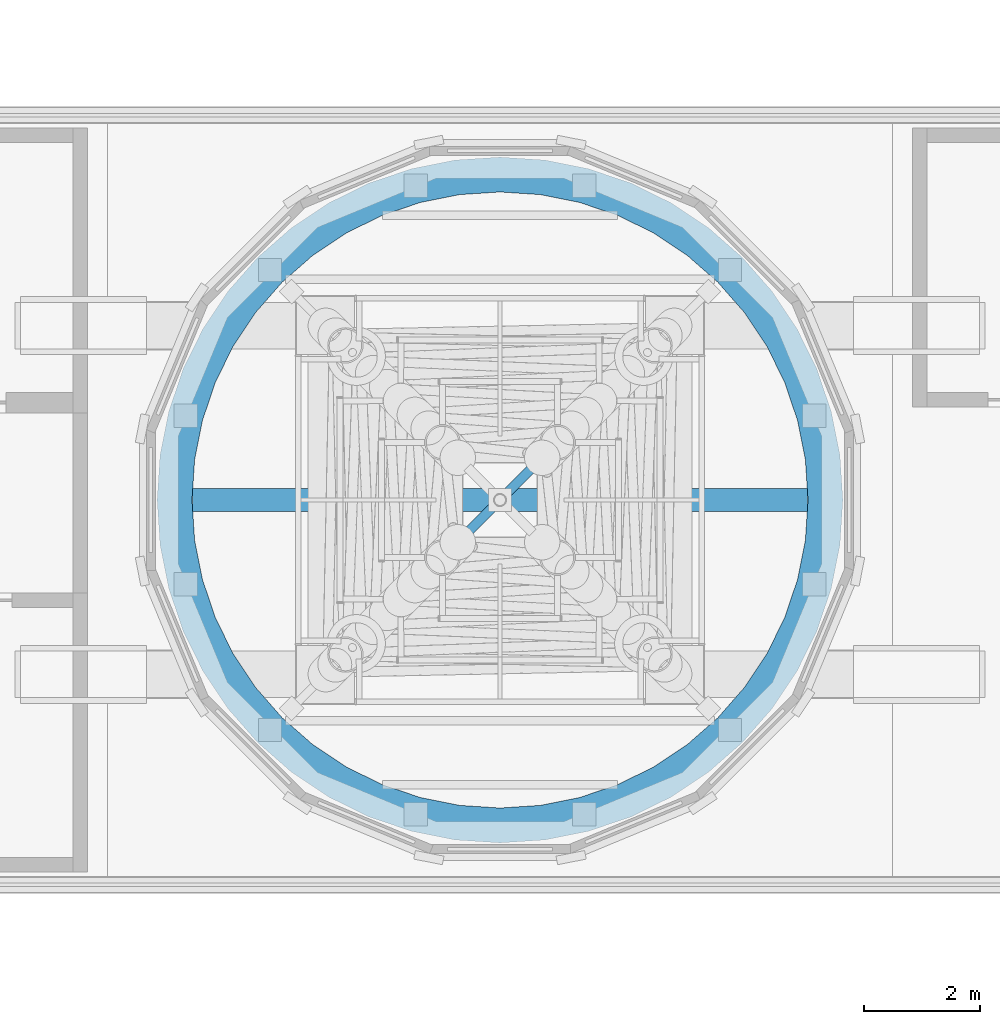
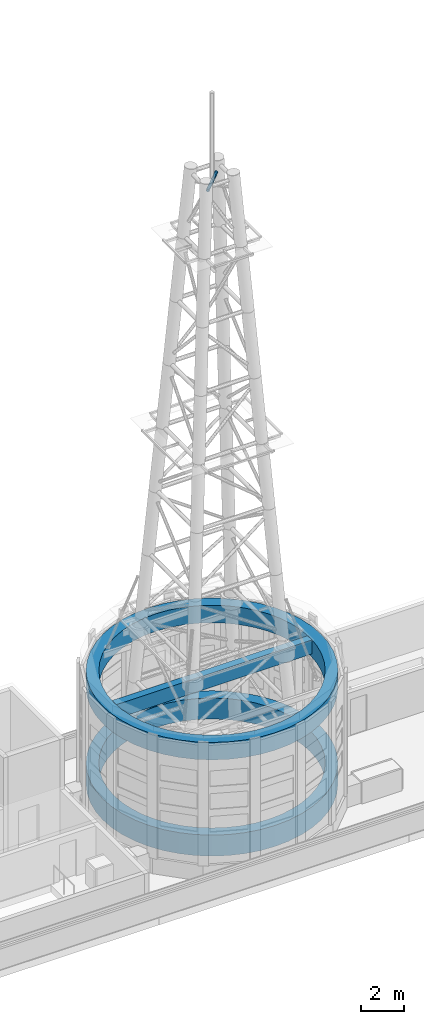
# One storey, part 2 of 36: 3 beams, 1 member.
"""IFC4 building model written with IfcOpenShell, lengths in metres."""

from ifc_helpers import new_model, si_unit, direction, frame, origin, origin_2d, place, context, subcontext, project, spatial, polyline, hollow_rectangle, hollow_circle, outline, extrude, material, material_profile, profile_set, type_object, element, save


model = new_model("IFC4")

# Units and contexts
model_context = context("Model", 3, precision=1e-05, world=origin(), true_north=direction((0.0, 1.0)))
body_context = subcontext(model_context, "Body", "Model", "MODEL_VIEW")
ifc_project = project(units=[si_unit("LENGTHUNIT", "METRE"), si_unit("AREAUNIT", "SQUARE_METRE"), si_unit("VOLUMEUNIT", "CUBIC_METRE"), si_unit("PLANEANGLEUNIT", "RADIAN"), si_unit("MASSUNIT", "GRAM", prefix="KILO")], contexts=[model_context])

# Site, building, storey
site_placement = place(None, origin())
site = spatial("IfcSite", under=ifc_project, at=site_placement, CompositionType="ELEMENT")
building_placement = place(site_placement, origin())
building = spatial("IfcBuilding", under=site, at=building_placement, Name="Ipe Terrace Towers", CompositionType="ELEMENT")
storey_placement = place(building_placement, frame((0.0, 0.0, 264.89990234375)))
storey = spatial("IfcBuildingStorey", under=building, at=storey_placement, Name="Roof", CompositionType="ELEMENT", Elevation=264.89990234375)

# Beams
ifc_material_1 = material(Name="Concrete C40/50", Category="concrete")
beam_type_1 = type_object("IfcBeamType", Name="CROWN-DRUM RING BEAM C40/50 600x1000", PredefinedType="BEAM", material=ifc_material_1)
beam_1_placement = place(storey_placement, frame((0.0, 0.0, 6.7001953125)))
element("IfcBeam", 1, at=beam_1_placement, inside=storey, type_object=beam_type_1, Name="T1-CR-RB2 drum top ring beam", PredefinedType="BEAM", context=body_context, shape_type="SweptSolid", body=[
    extrude(outline(polyline([(-30.10009765625, 0.0), (-30.14990234375, 0.77001953125), (-30.301025390625, 1.527099609375), (-30.549072265625, 2.258056640625), (-30.889892578125, 2.949951171875), (-31.319091796875, 3.592041015625), (-31.827880859375, 4.172119140625), (-32.407958984375, 4.680908203125), (-33.050048828125, 5.110107421875), (-33.741943359375, 5.450927734375), (-34.472900390625, 5.698974609375), (-35.22998046875, 5.85009765625), (-36.0, 5.89990234375), (-36.77001953125, 5.85009765625), (-37.527099609375, 5.698974609375), (-38.258056640625, 5.450927734375), (-38.949951171875, 5.110107421875), (-39.592041015625, 4.680908203125), (-40.172119140625, 4.172119140625), (-40.680908203125, 3.592041015625), (-41.110107421875, 2.949951171875), (-41.450927734375, 2.258056640625), (-41.698974609375, 1.527099609375), (-41.85009765625, 0.77001953125), (-41.89990234375, 0.0), (-41.85009765625, -0.77001953125), (-41.698974609375, -1.527099609375), (-41.450927734375, -2.258056640625), (-41.110107421875, -2.949951171875), (-40.680908203125, -3.592041015625), (-40.172119140625, -4.172119140625), (-39.592041015625, -4.680908203125), (-38.949951171875, -5.110107421875), (-38.258056640625, -5.450927734375), (-37.527099609375, -5.698974609375), (-36.77001953125, -5.85009765625), (-36.0, -5.89990234375), (-35.22998046875, -5.85009765625), (-34.472900390625, -5.698974609375), (-33.741943359375, -5.450927734375), (-33.050048828125, -5.110107421875), (-32.407958984375, -4.680908203125), (-31.827880859375, -4.172119140625), (-31.319091796875, -3.592041015625), (-30.889892578125, -2.949951171875), (-30.549072265625, -2.258056640625), (-30.301025390625, -1.527099609375), (-30.14990234375, -0.77001953125), (-30.10009765625, 0.0)]), holes=[polyline([(-30.699951171875, 0.0), (-30.7451171875, 0.69189453125), (-30.881103515625, 1.3720703125), (-31.10302734375, 2.028076171875), (-31.409912109375, 2.64990234375), (-31.794921875, 3.22607421875), (-32.251953125, 3.748046875), (-32.77392578125, 4.205078125), (-33.35009765625, 4.590087890625), (-33.971923828125, 4.89697265625), (-34.6279296875, 5.118896484375), (-35.30810546875, 5.2548828125), (-36.0, 5.300048828125), (-36.69189453125, 5.2548828125), (-37.3720703125, 5.118896484375), (-38.028076171875, 4.89697265625), (-38.64990234375, 4.590087890625), (-39.22607421875, 4.205078125), (-39.748046875, 3.748046875), (-40.205078125, 3.22607421875), (-40.590087890625, 2.64990234375), (-40.89697265625, 2.028076171875), (-41.118896484375, 1.3720703125), (-41.2548828125, 0.69189453125), (-41.300048828125, 0.0), (-41.2548828125, -0.69189453125), (-41.118896484375, -1.3720703125), (-40.89697265625, -2.028076171875), (-40.590087890625, -2.64990234375), (-40.205078125, -3.22607421875), (-39.748046875, -3.748046875), (-39.22607421875, -4.205078125), (-38.64990234375, -4.590087890625), (-38.028076171875, -4.89697265625), (-37.3720703125, -5.118896484375), (-36.69189453125, -5.2548828125), (-36.0, -5.300048828125), (-35.30810546875, -5.2548828125), (-34.6279296875, -5.118896484375), (-33.971923828125, -4.89697265625), (-33.35009765625, -4.590087890625), (-32.77392578125, -4.205078125), (-32.251953125, -3.748046875), (-31.794921875, -3.22607421875), (-31.409912109375, -2.64990234375), (-31.10302734375, -2.028076171875), (-30.881103515625, -1.3720703125), (-30.7451171875, -0.69189453125), (-30.699951171875, 0.0)])]), origin(), (0.0, 0.0, 1.0), 1.0),
])
ifc_material_2 = material(Name="Steel S355", Category="steel")
ifc_material_profile_1 = material_profile(ifc_material_2, hollow_rectangle(XDim=0.39990234375, YDim=0.800048828125, WallThickness=0.02001953125, at=origin_2d()), Name="CROWN-DRUM ROOF BEAM BOX 400x800x20")
ifc_profile_set_1 = profile_set([ifc_material_profile_1], Name="Steel S355")
beam_type_2 = type_object("IfcBeamType", Name="CROWN-DRUM ROOF BEAM BOX 400x800x20", PredefinedType="BEAM", material=ifc_profile_set_1)
beam_2_placement = place(storey_placement, frame((-41.2880859375, 0.0, 7.300048828125), z_axis=(1.0, 0.0, 0.0), x_axis=(0.0, 1.0, 0.0)))
element("IfcBeam", 2, at=beam_2_placement, inside=storey, type_object=beam_type_2, Name="T1-CR-RF1 drum roof beam", PredefinedType="BEAM", context=body_context, shape_type="SweptSolid", body=[
    extrude(hollow_rectangle(XDim=0.39990234375, YDim=0.800048828125, WallThickness=0.02001953125, at=origin_2d()), origin(), (0.0, 0.0, 1.0), 10.576171875),
])
ifc_material_3 = material(Name="Concrete C40/50", Category="concrete")
beam_type_3 = type_object("IfcBeamType", Name="CROWN-DRUM TRANSFER GIRDER C40/50 600x1200", PredefinedType="BEAM", material=ifc_material_3)
beam_3_placement = place(storey_placement, frame((0.0, 0.0, 1.2001953125)))
element("IfcBeam", 3, at=beam_3_placement, inside=storey, type_object=beam_type_3, Name="T1-TG-C1 drum base transfer girder", PredefinedType="BEAM", context=body_context, shape_type="SweptSolid", body=[
    extrude(outline(polyline([(-30.10009765625, 0.0), (-30.14990234375, 0.77001953125), (-30.301025390625, 1.527099609375), (-30.549072265625, 2.258056640625), (-30.889892578125, 2.949951171875), (-31.319091796875, 3.592041015625), (-31.827880859375, 4.172119140625), (-32.407958984375, 4.680908203125), (-33.050048828125, 5.110107421875), (-33.741943359375, 5.450927734375), (-34.472900390625, 5.698974609375), (-35.22998046875, 5.85009765625), (-36.0, 5.89990234375), (-36.77001953125, 5.85009765625), (-37.527099609375, 5.698974609375), (-38.258056640625, 5.450927734375), (-38.949951171875, 5.110107421875), (-39.592041015625, 4.680908203125), (-40.172119140625, 4.172119140625), (-40.680908203125, 3.592041015625), (-41.110107421875, 2.949951171875), (-41.450927734375, 2.258056640625), (-41.698974609375, 1.527099609375), (-41.85009765625, 0.77001953125), (-41.89990234375, 0.0), (-41.85009765625, -0.77001953125), (-41.698974609375, -1.527099609375), (-41.450927734375, -2.258056640625), (-41.110107421875, -2.949951171875), (-40.680908203125, -3.592041015625), (-40.172119140625, -4.172119140625), (-39.592041015625, -4.680908203125), (-38.949951171875, -5.110107421875), (-38.258056640625, -5.450927734375), (-37.527099609375, -5.698974609375), (-36.77001953125, -5.85009765625), (-36.0, -5.89990234375), (-35.22998046875, -5.85009765625), (-34.472900390625, -5.698974609375), (-33.741943359375, -5.450927734375), (-33.050048828125, -5.110107421875), (-32.407958984375, -4.680908203125), (-31.827880859375, -4.172119140625), (-31.319091796875, -3.592041015625), (-30.889892578125, -2.949951171875), (-30.549072265625, -2.258056640625), (-30.301025390625, -1.527099609375), (-30.14990234375, -0.77001953125), (-30.10009765625, 0.0)]), holes=[polyline([(-30.699951171875, 0.0), (-30.7451171875, 0.69189453125), (-30.881103515625, 1.3720703125), (-31.10302734375, 2.028076171875), (-31.409912109375, 2.64990234375), (-31.794921875, 3.22607421875), (-32.251953125, 3.748046875), (-32.77392578125, 4.205078125), (-33.35009765625, 4.590087890625), (-33.971923828125, 4.89697265625), (-34.6279296875, 5.118896484375), (-35.30810546875, 5.2548828125), (-36.0, 5.300048828125), (-36.69189453125, 5.2548828125), (-37.3720703125, 5.118896484375), (-38.028076171875, 4.89697265625), (-38.64990234375, 4.590087890625), (-39.22607421875, 4.205078125), (-39.748046875, 3.748046875), (-40.205078125, 3.22607421875), (-40.590087890625, 2.64990234375), (-40.89697265625, 2.028076171875), (-41.118896484375, 1.3720703125), (-41.2548828125, 0.69189453125), (-41.300048828125, 0.0), (-41.2548828125, -0.69189453125), (-41.118896484375, -1.3720703125), (-40.89697265625, -2.028076171875), (-40.590087890625, -2.64990234375), (-40.205078125, -3.22607421875), (-39.748046875, -3.748046875), (-39.22607421875, -4.205078125), (-38.64990234375, -4.590087890625), (-38.028076171875, -4.89697265625), (-37.3720703125, -5.118896484375), (-36.69189453125, -5.2548828125), (-36.0, -5.300048828125), (-35.30810546875, -5.2548828125), (-34.6279296875, -5.118896484375), (-33.971923828125, -4.89697265625), (-33.35009765625, -4.590087890625), (-32.77392578125, -4.205078125), (-32.251953125, -3.748046875), (-31.794921875, -3.22607421875), (-31.409912109375, -2.64990234375), (-31.10302734375, -2.028076171875), (-30.881103515625, -1.3720703125), (-30.7451171875, -0.69189453125), (-30.699951171875, 0.0)])]), origin(), (0.0, 0.0, 1.0), 1.199951171875),
])

# Member
ifc_material_4 = material(Name="Steel S355", Category="steel")
ifc_material_profile_2 = material_profile(ifc_material_4, hollow_circle(Radius=0.083984375, WallThickness=0.008056640625, at=origin_2d()), Name="MAST-TOP BRACE CHS 168x8")
ifc_profile_set_2 = profile_set([ifc_material_profile_2], Name="Steel S355")
member_type = type_object("IfcMemberType", Name="MAST-TOP BRACE CHS 168x8", PredefinedType="BRACE", material=ifc_profile_set_2)
member_placement = place(storey_placement, frame((-36.551025390625, -0.551025390625, 35.650146484375), z_axis=(0.707106781187, 0.707106781187, 0.0), x_axis=(-0.707106781187, 0.707106781187, 0.0)))
element("IfcMember", 4, at=member_placement, inside=storey, type_object=member_type, Name="T1-MS-T1 mast top brace", PredefinedType="BRACE", context=body_context, shape_type="SweptSolid", body=[
    extrude(hollow_circle(Radius=0.083984375, WallThickness=0.008056640625, at=origin_2d()), origin(), (0.0, 0.0, 1.0), 1.55859375),
])

save(model, "model.ifc")
